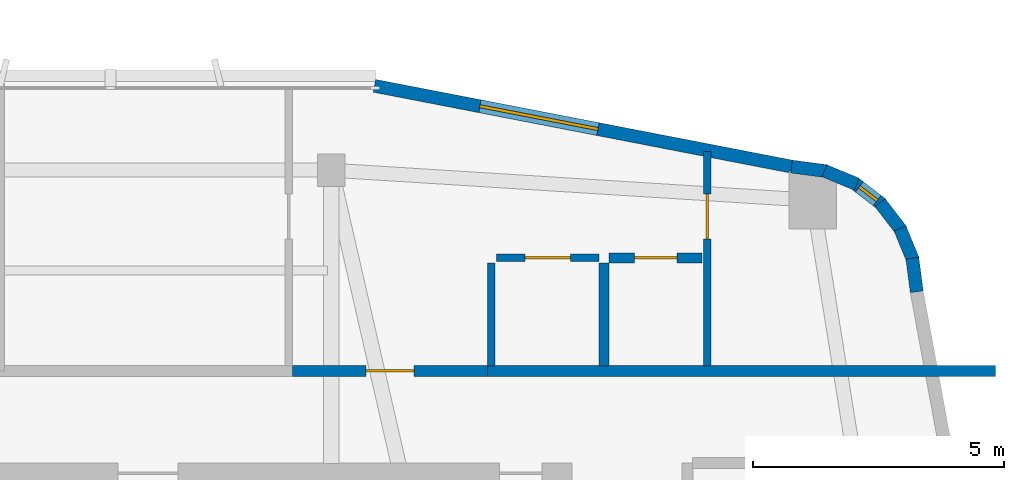
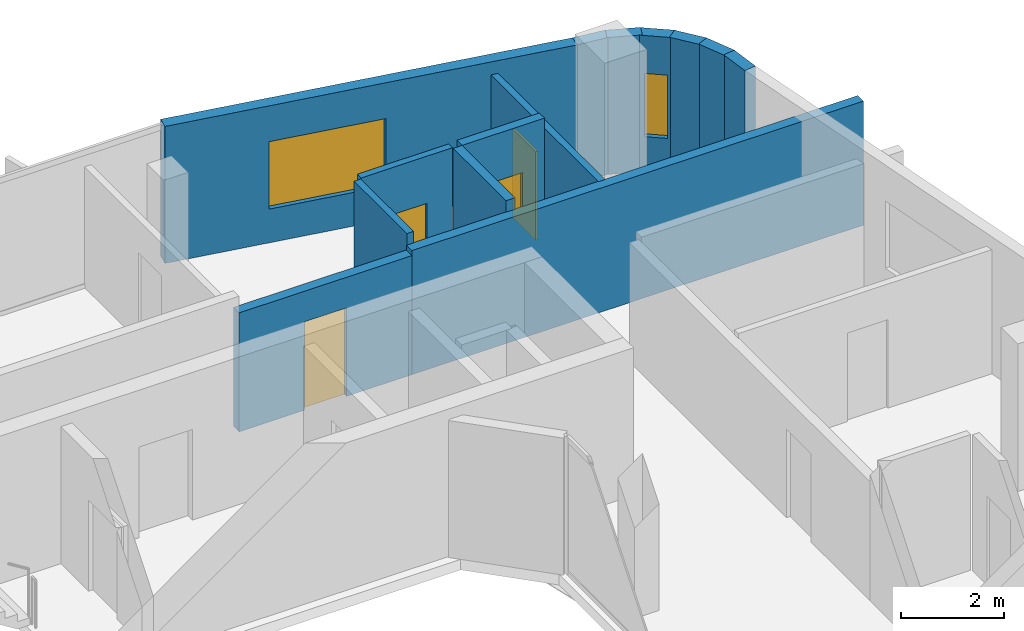
# One storey, part 20 of 26: 14 walls, 4 doors, 2 windows, 6 openings.
"""IFC4 building model written with IfcOpenShell, lengths in metres."""

from ifc_helpers import new_model, si_unit, derived_unit, direction, frame, frame_2d, origin, place, context, subcontext, project, spatial, rectangle, extrude, material, layer, layer_set, type_object, element, fill, save


model = new_model("IFC4")

# Units and contexts
model_context = context("Model", 3, precision=1e-05, world=origin(), true_north=direction((0.0, 1.0)))
body_context = subcontext(model_context, "Body", "Model", "MODEL_VIEW")
ifc_project = project(units=[si_unit("LENGTHUNIT", "METRE"), si_unit("AREAUNIT", "SQUARE_METRE"), si_unit("VOLUMEUNIT", "CUBIC_METRE"), si_unit("PLANEANGLEUNIT", "RADIAN"), si_unit("MASSUNIT", "GRAM", prefix="KILO"), derived_unit("THERMALTRANSMITTANCEUNIT", [(si_unit("POWERUNIT", "WATT"), 1), (si_unit("LENGTHUNIT", "METRE"), -2), (si_unit("THERMODYNAMICTEMPERATUREUNIT", "KELVIN"), -1)])], contexts=[model_context])

# Site, building, storey
site_placement = place(None, origin())
site = spatial("IfcSite", under=ifc_project, at=site_placement, CompositionType="ELEMENT")
building_placement = place(site_placement, origin())
building = spatial("IfcBuilding", under=site, at=building_placement, Name="Kivonza Crest Hotel", CompositionType="ELEMENT")
storey_placement = place(building_placement, frame((0.0, 0.0, 109.0)))
storey = spatial("IfcBuildingStorey", under=building, at=storey_placement, Name="L29", CompositionType="ELEMENT", Elevation=109.0)

# Wall
ifc_material_1 = material(Name="Autoclaved aerated concrete blockwork", Category="masonry")
ifc_layer_1 = layer(ifc_material_1, 0.219970703125)
ifc_layer_set_1 = layer_set([ifc_layer_1], Name="Autoclaved aerated concrete blockwork")
wall_type_1 = type_object("IfcWallType", Name="WL-ACOU-220", PredefinedType="SOLIDWALL", material=ifc_layer_set_1)
wall_1_placement = place(storey_placement, frame((84.510009765625, 37.60009765625, 0.0), z_axis=(0.0, 0.0, 1.0), x_axis=(1.0, 0.0, 0.0)))
element("IfcWall", 1, at=wall_1_placement, inside=storey, type_object=wall_type_1, Name="L29 interior partition WA-L29-A02-RCORR", PredefinedType="SOLIDWALL", context=body_context, shape_type="SweptSolid", body=[
    extrude(rectangle(XDim=10.1298828125, YDim=0.219970703125, at=frame_2d((5.06494140625, 0.0))), origin(), (0.0, 0.0, 1.0), 2.945068359375),
])

# Wall, opening, door
wall_2_placement = place(storey_placement, frame((80.6298828125, 37.60009765625, 0.0), z_axis=(0.0, 0.0, 1.0), x_axis=(1.0, 0.0, 0.0)))
wall_2 = element("IfcWall", 2, at=wall_2_placement, inside=storey, type_object=wall_type_1, Name="L29 interior partition WA-L29-A02-MCORR", PredefinedType="SOLIDWALL", context=body_context, shape_type="SweptSolid", body=[
    extrude(rectangle(XDim=3.880126953125, YDim=0.219970703125, at=frame_2d((1.93994140625, 0.0))), origin(), (0.0, 0.0, 1.0), 2.824951171875),
])
opening_1_placement = place(wall_2_placement, frame((1.465087890625, 0.0, 0.0)))
opening_1 = element("IfcOpeningElement", 3, at=opening_1_placement, cuts=wall_2, Name="Opening DU-60", PredefinedType="OPENING", context=body_context, shape_type="SweptSolid", body=[
    extrude(rectangle(XDim=0.949951171875, YDim=2.10009765625, at=frame_2d((0.47509765625, 1.050048828125))), frame((0.0, 0.1201171875, 0.0), z_axis=(0.0, -1.0, 0.0), x_axis=(1.0, 0.0, 0.0)), (0.0, 0.0, 1.0), 0.239990234375),
])
ifc_material_2 = material(Name="Hardwood timber oak", Category="wood")
door_type_1 = type_object("IfcDoorType", Name="DR-UNIT-950", OperationType="NOTDEFINED", PredefinedType="DOOR", material=ifc_material_2)
door_1_placement = place(opening_1_placement, origin())
door_1 = element("IfcDoor", 4, at=door_1_placement, inside=storey, type_object=door_type_1, Name="L29 A02 apartment entrance fire door", OperationType="SINGLE_SWING_RIGHT", OverallHeight=2.10009765625, OverallWidth=0.949951171875, PredefinedType="DOOR", context=body_context, shape_type="SweptSolid", body=[
    extrude(rectangle(XDim=0.949951171875, YDim=2.10009765625, at=frame_2d((0.47509765625, 1.050048828125))), frame((0.0, 0.02490234375, 0.0), z_axis=(0.0, -1.0, 0.0), x_axis=(1.0, 0.0, 0.0)), (0.0, 0.0, 1.0), 0.050048828125),
])
fill(opening_1, door_1)

# Walls
ifc_material_3 = material(Name="Precast concrete C40/50", Category="concrete")
ifc_layer_2 = layer(ifc_material_3, 0.260009765625)
ifc_layer_set_2 = layer_set([ifc_layer_2], Name="Precast concrete C40/50")
wall_type_2 = type_object("IfcWallType", Name="WL-EXT-260", PredefinedType="STANDARD", material=ifc_layer_set_2)
wall_3_placement = place(storey_placement, frame((93.072021484375, 39.175048828125, 0.0), z_axis=(0.0, 0.0, 1.0), x_axis=(-0.131667498923, 0.991293937098, 0.0)))
element("IfcWall", 5, at=wall_3_placement, inside=storey, type_object=wall_type_2, Name="L29 T2 exterior insulated wall 19", PredefinedType="STANDARD", context=body_context, shape_type="SweptSolid", body=[
    extrude(rectangle(XDim=0.6767578125, YDim=0.260009765625, at=frame_2d((0.33837890625, 0.0))), origin(), (0.0, 0.0, 1.0), 3.25),
])
wall_4_placement = place(storey_placement, frame((93.0009765625, 39.800048828125, 0.0), z_axis=(0.0, 0.0, 1.0), x_axis=(-0.381988976935, 0.924166879681, 0.0)))
element("IfcWall", 6, at=wall_4_placement, inside=storey, type_object=wall_type_2, Name="L29 T2 exterior insulated wall 20", PredefinedType="STANDARD", context=body_context, shape_type="SweptSolid", body=[
    extrude(rectangle(XDim=0.693359375, YDim=0.260009765625, at=frame_2d((0.3466796875, 0.0))), origin(), (0.0, 0.0, 1.0), 3.25),
])
wall_5_placement = place(storey_placement, frame((92.763916015625, 40.40087890625, 0.0), z_axis=(0.0, 0.0, 1.0), x_axis=(-0.609472651958, 0.792807092876, 0.0)))
element("IfcWall", 7, at=wall_5_placement, inside=storey, type_object=wall_type_2, Name="L29 T2 exterior insulated wall 21", PredefinedType="STANDARD", context=body_context, shape_type="SweptSolid", body=[
    extrude(rectangle(XDim=0.69384765625, YDim=0.260009765625, at=frame_2d((0.346923828125, 0.0))), origin(), (0.0, 0.0, 1.0), 3.25),
])

# Wall, opening, window
wall_6_placement = place(storey_placement, frame((92.37890625, 40.919921875, 0.0), z_axis=(0.0, 0.0, 1.0), x_axis=(-0.792506234191, 0.609863811657, 0.0)))
wall_6 = element("IfcWall", 8, at=wall_6_placement, inside=storey, type_object=wall_type_2, Name="L29 T2 exterior insulated wall 22", PredefinedType="STANDARD", context=body_context, shape_type="SweptSolid", body=[
    extrude(rectangle(XDim=0.69384765625, YDim=0.260009765625, at=frame_2d((0.346923828125, 0.0))), origin(), (0.0, 0.0, 1.0), 3.25),
])
opening_2_placement = place(wall_6_placement, frame((0.1220703125, 0.0, 0.85009765625)))
opening_2 = element("IfcOpeningElement", 9, at=opening_2_placement, cuts=wall_6, Name="Opening WN-11", PredefinedType="OPENING", context=body_context, shape_type="SweptSolid", body=[
    extrude(rectangle(XDim=0.449951171875, YDim=1.5, at=frame_2d((0.22509765625, 0.75))), frame((0.0, 0.14013671875, 0.0), z_axis=(0.0, -1.0, 0.0), x_axis=(1.0, 0.0, 0.0)), (0.0, 0.0, 1.0), 0.280029296875),
])
ifc_material_4 = material(Name="Thermally broken bronze aluminium and low-E double glazing", Category="aluminium")
window_type_1 = type_object("IfcWindowType", Name="WN-045x150", PartitioningType="SINGLE_PANEL", PredefinedType="WINDOW", material=ifc_material_4)
window_1_placement = place(opening_2_placement, origin())
window_1 = element("IfcWindow", 10, at=window_1_placement, inside=storey, type_object=window_type_1, Name="L29 corner vision window 3", OverallHeight=1.5, OverallWidth=0.449951171875, PartitioningType="SINGLE_PANEL", PredefinedType="WINDOW", context=body_context, shape_type="SweptSolid", body=[
    extrude(rectangle(XDim=0.449951171875, YDim=1.5, at=frame_2d((0.22509765625, 0.75))), frame((0.0, 0.030029296875, 0.0), z_axis=(0.0, -1.0, 0.0), x_axis=(1.0, 0.0, 0.0)), (0.0, 0.0, 1.0), 0.06005859375),
])
fill(opening_2, window_1)

# Walls
wall_7_placement = place(storey_placement, frame((91.873046875, 41.322021484375, 0.0), z_axis=(0.0, 0.0, 1.0), x_axis=(-0.92421822618, 0.381864727877, 0.0)))
element("IfcWall", 11, at=wall_7_placement, inside=storey, type_object=wall_type_2, Name="L29 T2 exterior insulated wall 23", PredefinedType="STANDARD", context=body_context, shape_type="SweptSolid", body=[
    extrude(rectangle(XDim=0.693603515625, YDim=0.260009765625, at=frame_2d((0.3466796875, 0.0))), origin(), (0.0, 0.0, 1.0), 3.25),
])
wall_8_placement = place(storey_placement, frame((91.281005859375, 41.5791015625, 0.0), z_axis=(0.0, 0.0, 1.0), x_axis=(-0.991433279471, 0.130614135366, 0.0)))
element("IfcWall", 12, at=wall_8_placement, inside=storey, type_object=wall_type_2, Name="L29 T2 exterior insulated wall 24", PredefinedType="STANDARD", context=body_context, shape_type="SweptSolid", body=[
    extrude(rectangle(XDim=0.712158203125, YDim=0.260009765625, at=frame_2d((0.35595703125, 0.0))), origin(), (0.0, 0.0, 1.0), 3.25),
])

# Wall, opening, window
wall_9_placement = place(storey_placement, frame((90.5830078125, 41.669921875, 0.0), z_axis=(0.0, 0.0, 1.0), x_axis=(-0.981750199588, 0.190175039396, 0.0)))
wall_9 = element("IfcWall", 13, at=wall_9_placement, inside=storey, type_object=wall_type_2, Name="L29 T2 exterior insulated wall 25", PredefinedType="STANDARD", context=body_context, shape_type="SweptSolid", body=[
    extrude(rectangle(XDim=8.476806640625, YDim=0.260009765625, at=frame_2d((4.23828125, 0.0))), origin(), (0.0, 0.0, 1.0), 3.25),
])
opening_3_placement = place(wall_9_placement, frame((3.93701171875, 0.0, 0.800048828125)))
opening_3 = element("IfcOpeningElement", 14, at=opening_3_placement, cuts=wall_9, Name="Opening WN-05", PredefinedType="OPENING", context=body_context, shape_type="SweptSolid", body=[
    extrude(rectangle(XDim=2.39990234375, YDim=1.60009765625, at=frame_2d((1.199951171875, 0.800048828125))), frame((0.0, 0.14013671875, 0.0), z_axis=(0.0, -1.0, 0.0), x_axis=(1.0, 0.0, 0.0)), (0.0, 0.0, 1.0), 0.280029296875),
])
window_type_2 = type_object("IfcWindowType", Name="WN-240x160", PartitioningType="TRIPLE_PANEL_VERTICAL", PredefinedType="WINDOW", material=ifc_material_4)
window_2_placement = place(opening_3_placement, origin())
window_2 = element("IfcWindow", 15, at=window_2_placement, inside=storey, type_object=window_type_2, Name="L29 T2 facade window 25", OverallHeight=1.60009765625, OverallWidth=2.39990234375, PartitioningType="SINGLE_PANEL", PredefinedType="WINDOW", context=body_context, shape_type="SweptSolid", body=[
    extrude(rectangle(XDim=2.39990234375, YDim=1.60009765625, at=frame_2d((1.199951171875, 0.800048828125))), frame((0.0, 0.030029296875, 0.0), z_axis=(0.0, -1.0, 0.0), x_axis=(1.0, 0.0, 0.0)), (0.0, 0.0, 1.0), 0.06005859375),
])
fill(opening_3, window_2)

# Wall, opening, door
ifc_material_5 = material(Name="Twin-stud acoustic gypsum board partition", Category="gypsum")
ifc_layer_3 = layer(ifc_material_5, 0.14990234375)
ifc_layer_set_3 = layer_set([ifc_layer_3], Name="Twin-stud acoustic gypsum board partition")
wall_type_3 = type_object("IfcWallType", Name="WL-PART-150", PredefinedType="PARTITIONING", material=ifc_layer_set_3)
wall_10_placement = place(storey_placement, frame((88.889892578125, 37.699951171875, 0.0), z_axis=(0.0, 0.0, 1.0), x_axis=(0.0, 1.0, 0.0)))
wall_10 = element("IfcWall", 16, at=wall_10_placement, inside=storey, type_object=wall_type_3, Name="L29 interior partition WP-L29-A02-BDW2", PredefinedType="PARTITIONING", context=body_context, shape_type="SweptSolid", body=[
    extrude(rectangle(XDim=4.27001953125, YDim=0.14990234375, at=frame_2d((2.135009765625, 0.0))), origin(), (0.0, 0.0, 1.0), 2.945068359375),
])
opening_4_placement = place(wall_10_placement, frame((2.530029296875, 0.0, 0.0)))
opening_4 = element("IfcOpeningElement", 17, at=opening_4_placement, cuts=wall_10, Name="Opening DI-90", PredefinedType="OPENING", context=body_context, shape_type="SweptSolid", body=[
    extrude(rectangle(XDim=0.89990234375, YDim=2.10009765625, at=frame_2d((0.449951171875, 1.050048828125))), frame((0.0, 0.0849609375, 0.0), z_axis=(0.0, -1.0, 0.0), x_axis=(1.0, 0.0, 0.0)), (0.0, 0.0, 1.0), 0.169921875),
])
door_type_2 = type_object("IfcDoorType", Name="DR-INT-900", OperationType="NOTDEFINED", PredefinedType="DOOR", material=ifc_material_2)
door_2_placement = place(opening_4_placement, origin())
door_2 = element("IfcDoor", 18, at=door_2_placement, inside=storey, type_object=door_type_2, Name="L29 A02 bedroom 2 door", OperationType="SINGLE_SWING_RIGHT", OverallHeight=2.10009765625, OverallWidth=0.89990234375, PredefinedType="DOOR", context=body_context, shape_type="SweptSolid", body=[
    extrude(rectangle(XDim=0.89990234375, YDim=2.10009765625, at=frame_2d((0.449951171875, 1.050048828125))), frame((0.0, 0.02490234375, 0.0), z_axis=(0.0, -1.0, 0.0), x_axis=(1.0, 0.0, 0.0)), (0.0, 0.0, 1.0), 0.050048828125),
])
fill(opening_4, door_2)

# Wall
wall_11_placement = place(storey_placement, frame((84.590087890625, 37.699951171875, 0.0), z_axis=(0.0, 0.0, 1.0), x_axis=(0.0, 1.0, 0.0)))
element("IfcWall", 19, at=wall_11_placement, inside=storey, type_object=wall_type_3, Name="L29 interior partition WP-L29-A02-KF", PredefinedType="PARTITIONING", context=body_context, shape_type="SweptSolid", body=[
    extrude(rectangle(XDim=2.050048828125, YDim=0.14990234375, at=frame_2d((1.02490234375, 0.0))), origin(), (0.0, 0.0, 1.0), 3.219970703125),
])

# Wall, opening, door
wall_12_placement = place(storey_placement, frame((84.68994140625, 39.85009765625, 0.0), z_axis=(0.0, 0.0, 1.0), x_axis=(1.0, 0.0, 0.0)))
wall_12 = element("IfcWall", 20, at=wall_12_placement, inside=storey, type_object=wall_type_3, Name="L29 interior partition WP-L29-A02-KSVC", PredefinedType="PARTITIONING", context=body_context, shape_type="SweptSolid", body=[
    extrude(rectangle(XDim=2.050048828125, YDim=0.14990234375, at=frame_2d((1.02490234375, 0.0))), origin(), (0.0, 0.0, 1.0), 3.219970703125),
])
opening_5_placement = place(wall_12_placement, frame((0.574951171875, 0.0, 0.0)))
opening_5 = element("IfcOpeningElement", 21, at=opening_5_placement, cuts=wall_12, Name="Opening DI-90", PredefinedType="OPENING", context=body_context, shape_type="SweptSolid", body=[
    extrude(rectangle(XDim=0.89990234375, YDim=2.10009765625, at=frame_2d((0.449951171875, 1.050048828125))), frame((0.0, 0.0849609375, 0.0), z_axis=(0.0, -1.0, 0.0), x_axis=(1.0, 0.0, 0.0)), (0.0, 0.0, 1.0), 0.169921875),
])
door_3_placement = place(opening_5_placement, origin())
door_3 = element("IfcDoor", 22, at=door_3_placement, inside=storey, type_object=door_type_2, Name="L29 A02 apartment kitchen door", OperationType="SINGLE_SWING_RIGHT", OverallHeight=2.10009765625, OverallWidth=0.89990234375, PredefinedType="DOOR", context=body_context, shape_type="SweptSolid", body=[
    extrude(rectangle(XDim=0.89990234375, YDim=2.10009765625, at=frame_2d((0.449951171875, 1.050048828125))), frame((0.0, 0.02490234375, 0.0), z_axis=(0.0, -1.0, 0.0), x_axis=(1.0, 0.0, 0.0)), (0.0, 0.0, 1.0), 0.050048828125),
])
fill(opening_5, door_3)

# Wall
ifc_material_6 = material(Name="Moisture-resistant plumbing chase partition wall", Category="gypsum")
ifc_layer_4 = layer(ifc_material_6, 0.199951171875)
ifc_layer_set_4 = layer_set([ifc_layer_4], Name="Moisture-resistant plumbing chase partition wall")
wall_type_4 = type_object("IfcWallType", Name="WL-PLUMB-200", PredefinedType="PLUMBINGWALL", material=ifc_layer_set_4)
wall_13_placement = place(storey_placement, frame((86.840087890625, 37.699951171875, 0.0), z_axis=(0.0, 0.0, 1.0), x_axis=(0.0, 1.0, 0.0)))
element("IfcWall", 23, at=wall_13_placement, inside=storey, type_object=wall_type_4, Name="L29 interior partition WW-L29-A02-BK", PredefinedType="PLUMBINGWALL", context=body_context, shape_type="SweptSolid", body=[
    extrude(rectangle(XDim=2.050048828125, YDim=0.199951171875, at=frame_2d((1.02490234375, 0.0))), origin(), (0.0, 0.0, 1.0), 3.219970703125),
])

# Wall, opening, door
wall_14_placement = place(storey_placement, frame((86.93994140625, 39.85009765625, 0.0), z_axis=(0.0, 0.0, 1.0), x_axis=(1.0, 0.0, 0.0)))
wall_14 = element("IfcWall", 24, at=wall_14_placement, inside=storey, type_object=wall_type_4, Name="L29 interior partition WW-L29-A02-BSVC", PredefinedType="PLUMBINGWALL", context=body_context, shape_type="SweptSolid", body=[
    extrude(rectangle(XDim=1.85009765625, YDim=0.199951171875, at=frame_2d((0.925048828125, 0.0))), origin(), (0.0, 0.0, 1.0), 3.219970703125),
])
opening_6_placement = place(wall_14_placement, frame((0.5, 0.0, 0.0)))
opening_6 = element("IfcOpeningElement", 25, at=opening_6_placement, cuts=wall_14, Name="Opening DI-85", PredefinedType="OPENING", context=body_context, shape_type="SweptSolid", body=[
    extrude(rectangle(XDim=0.85009765625, YDim=2.10009765625, at=frame_2d((0.425048828125, 1.050048828125))), frame((0.0, 0.10986328125, 0.0), z_axis=(0.0, -1.0, 0.0), x_axis=(1.0, 0.0, 0.0)), (0.0, 0.0, 1.0), 0.219970703125),
])
door_type_3 = type_object("IfcDoorType", Name="DR-INT-850", OperationType="NOTDEFINED", PredefinedType="DOOR", material=ifc_material_2)
door_4_placement = place(opening_6_placement, origin())
door_4 = element("IfcDoor", 26, at=door_4_placement, inside=storey, type_object=door_type_3, Name="L29 A02 apartment bathroom door", OperationType="SINGLE_SWING_LEFT", OverallHeight=2.10009765625, OverallWidth=0.85009765625, PredefinedType="DOOR", context=body_context, shape_type="SweptSolid", body=[
    extrude(rectangle(XDim=0.85009765625, YDim=2.10009765625, at=frame_2d((0.425048828125, 1.050048828125))), frame((0.0, 0.02490234375, 0.0), z_axis=(0.0, -1.0, 0.0), x_axis=(1.0, 0.0, 0.0)), (0.0, 0.0, 1.0), 0.050048828125),
])
fill(opening_6, door_4)

save(model, "model.ifc")
